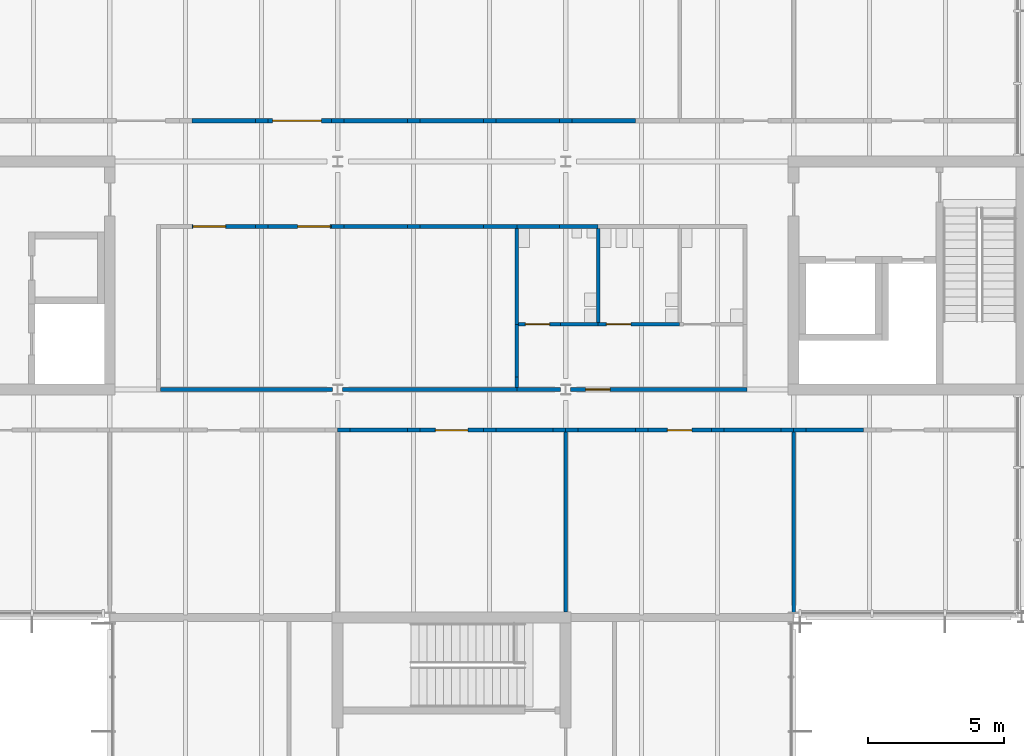
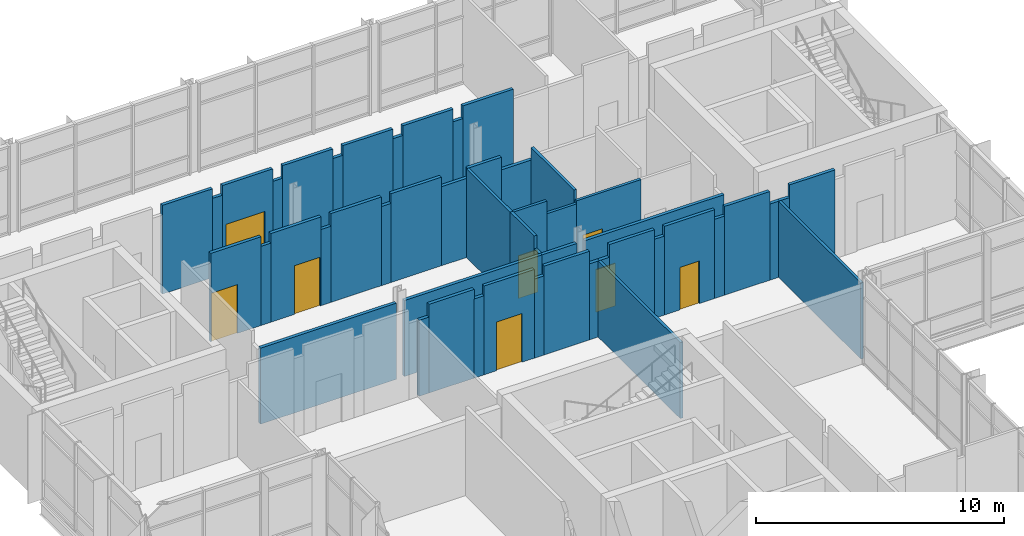
# One storey, part 58 of 89: 50 walls, 8 doors, 8 openings.
"""IFC4 building model written with IfcOpenShell, lengths in metres."""

from ifc_helpers import new_model, si_unit, direction, frame, frame_2d, origin, place, context, subcontext, project, spatial, rectangle, extrude, material, layer, layer_set, type_object, element, fill, save


model = new_model("IFC4")

# Units and contexts
model_context = context("Model", 3, precision=1e-05, world=origin(), true_north=direction((0.0, 1.0)))
body_context = subcontext(model_context, "Body", "Model", "MODEL_VIEW")
ifc_project = project(units=[si_unit("LENGTHUNIT", "METRE"), si_unit("AREAUNIT", "SQUARE_METRE"), si_unit("VOLUMEUNIT", "CUBIC_METRE"), si_unit("PLANEANGLEUNIT", "RADIAN"), si_unit("MASSUNIT", "GRAM", prefix="KILO")], contexts=[model_context])

# Site, building, storey
site_placement = place(None, origin())
site = spatial("IfcSite", under=ifc_project, at=site_placement, CompositionType="ELEMENT")
building_placement = place(site_placement, origin())
building = spatial("IfcBuilding", under=site, at=building_placement, Name="Hlaing Beacon Police Headquarters", CompositionType="ELEMENT")
storey_placement = place(building_placement, frame((0.0, 0.0, 9.89990234375)))
storey = spatial("IfcBuildingStorey", under=building, at=storey_placement, Name="L02", CompositionType="ELEMENT", Elevation=9.89990234375)

# Walls
ifc_material_1 = material(Name="Gypsum board partition")
ifc_layer_1 = layer(ifc_material_1, 0.14990234375)
ifc_layer_set_1 = layer_set([ifc_layer_1], Name="Gypsum board partition")
wall_type_1 = type_object("IfcWallType", Name="Corridor wall EI 30 150", PredefinedType="PARTITIONING", material=ifc_layer_set_1)
wall_1_placement = place(storey_placement, frame((102.675048828125, 75.60009765625, 0.0), z_axis=(0.0, 0.0, 1.0), x_axis=(1.0, 0.0, 0.0)))
element("IfcWall", 1, at=wall_1_placement, inside=storey, type_object=wall_type_1, Name="Corridor wall EI 30 150", PredefinedType="PARTITIONING", context=body_context, shape_type="SweptSolid", body=[
    extrude(rectangle(XDim=6.3388671875, YDim=0.14990234375, at=frame_2d((3.16943359375, 0.0))), origin(), (0.0, 0.0, 1.0), 3.74609375),
])
wall_2_placement = place(storey_placement, frame((109.385986328125, 75.60009765625, 0.0), z_axis=(0.0, 0.0, 1.0), x_axis=(1.0, 0.0, 0.0)))
element("IfcWall", 2, at=wall_2_placement, inside=storey, type_object=wall_type_1, Name="Corridor wall EI 30 150", PredefinedType="PARTITIONING", context=body_context, shape_type="SweptSolid", body=[
    extrude(rectangle(XDim=6.4140625, YDim=0.14990234375, at=frame_2d((3.20703125, 0.0))), origin(), (0.0, 0.0, 1.0), 3.74609375),
])

# Wall, opening, door
wall_3_placement = place(storey_placement, frame((103.830078125, 81.60009765625, 0.0), z_axis=(0.0, 0.0, 1.0), x_axis=(1.0, 0.0, 0.0)))
wall_3 = element("IfcWall", 3, at=wall_3_placement, inside=storey, type_object=wall_type_1, Name="Corridor wall EI 30 150", PredefinedType="PARTITIONING", context=body_context, shape_type="SweptSolid", body=[
    extrude(rectangle(XDim=2.33984375, YDim=0.14990234375, at=frame_2d((1.169921875, 0.0))), origin(), (0.0, 0.0, 1.0), 4.3701171875),
])
opening_1_placement = place(wall_3_placement, frame((0.044921875, 0.0, 0.0)))
opening_1 = element("IfcOpeningElement", 4, at=opening_1_placement, cuts=wall_3, Name="Opening L02-038", PredefinedType="OPENING", context=body_context, shape_type="SweptSolid", body=[
    extrude(rectangle(XDim=1.199951171875, YDim=2.39990234375, at=frame_2d((0.60009765625, 1.199951171875))), frame((0.0, 0.0849609375, 0.0), z_axis=(0.0, -1.0, 0.0), x_axis=(1.0, 0.0, 0.0)), (0.0, 0.0, 1.0), 0.169921875),
])
ifc_material_2 = material(Name="Hardwood door leaf", Category="wood")
ifc_layer_2 = layer(ifc_material_2, 0.050048828125)
ifc_layer_set_2 = layer_set([ifc_layer_2], Name="Hardwood door leaf")
door_type_1 = type_object("IfcDoorType", Name="Fire public door FD30S 1200x2400", OperationType="SINGLE_SWING_LEFT", PredefinedType="DOOR", material=ifc_layer_set_2)
door_1_placement = place(opening_1_placement, origin())
door_1 = element("IfcDoor", 5, at=door_1_placement, inside=storey, type_object=door_type_1, Name="Door Training Simulation Suite 1", OperationType="SINGLE_SWING_RIGHT", OverallHeight=2.39990234375, OverallWidth=1.199951171875, PredefinedType="DOOR", context=body_context, shape_type="SweptSolid", body=[
    extrude(rectangle(XDim=1.199951171875, YDim=2.39990234375, at=frame_2d((0.60009765625, 1.199951171875))), frame((0.0, 0.02490234375, 0.0), z_axis=(0.0, -1.0, 0.0), x_axis=(1.0, 0.0, 0.0)), (0.0, 0.0, 1.0), 0.050048828125),
])
fill(opening_1, door_1)

# Wall
wall_4_placement = place(storey_placement, frame((106.169921875, 81.60009765625, 0.0), z_axis=(0.0, 0.0, 1.0), x_axis=(1.0, 0.0, 0.0)))
element("IfcWall", 6, at=wall_4_placement, inside=storey, type_object=wall_type_1, Name="Corridor wall EI 30 150", PredefinedType="PARTITIONING", context=body_context, shape_type="SweptSolid", body=[
    extrude(rectangle(XDim=0.4599609375, YDim=0.14990234375, at=frame_2d((0.22998046875, 0.0))), origin(), (0.0, 0.0, 1.0), 3.89501953125),
])

# Wall, opening, door
wall_5_placement = place(storey_placement, frame((106.6298828125, 81.60009765625, 0.0), z_axis=(0.0, 0.0, 1.0), x_axis=(1.0, 0.0, 0.0)))
wall_5 = element("IfcWall", 7, at=wall_5_placement, inside=storey, type_object=wall_type_1, Name="Corridor wall EI 30 150", PredefinedType="PARTITIONING", context=body_context, shape_type="SweptSolid", body=[
    extrude(rectangle(XDim=2.340087890625, YDim=0.14990234375, at=frame_2d((1.169921875, 0.0))), origin(), (0.0, 0.0, 1.0), 4.3701171875),
])
opening_2_placement = place(wall_5_placement, frame((1.094970703125, 0.0, 0.0)))
opening_2 = element("IfcOpeningElement", 8, at=opening_2_placement, cuts=wall_5, Name="Opening L02-039", PredefinedType="OPENING", context=body_context, shape_type="SweptSolid", body=[
    extrude(rectangle(XDim=1.199951171875, YDim=2.39990234375, at=frame_2d((0.60009765625, 1.199951171875))), frame((0.0, 0.0849609375, 0.0), z_axis=(0.0, -1.0, 0.0), x_axis=(1.0, 0.0, 0.0)), (0.0, 0.0, 1.0), 0.169921875),
])
door_2_placement = place(opening_2_placement, origin())
door_2 = element("IfcDoor", 9, at=door_2_placement, inside=storey, type_object=door_type_1, Name="Door Training Simulation Suite 1", OperationType="SINGLE_SWING_LEFT", OverallHeight=2.39990234375, OverallWidth=1.199951171875, PredefinedType="DOOR", context=body_context, shape_type="SweptSolid", body=[
    extrude(rectangle(XDim=1.199951171875, YDim=2.39990234375, at=frame_2d((0.60009765625, 1.199951171875))), frame((0.0, 0.02490234375, 0.0), z_axis=(0.0, -1.0, 0.0), x_axis=(1.0, 0.0, 0.0)), (0.0, 0.0, 1.0), 0.050048828125),
])
fill(opening_2, door_2)

# Walls
wall_6_placement = place(storey_placement, frame((108.969970703125, 81.60009765625, 0.0), z_axis=(0.0, 0.0, 1.0), x_axis=(1.0, 0.0, 0.0)))
element("IfcWall", 10, at=wall_6_placement, inside=storey, type_object=wall_type_1, Name="Corridor wall EI 30 150", PredefinedType="PARTITIONING", context=body_context, shape_type="SweptSolid", body=[
    extrude(rectangle(XDim=0.4599609375, YDim=0.14990234375, at=frame_2d((0.22998046875, 0.0))), origin(), (0.0, 0.0, 1.0), 3.74609375),
])
wall_7_placement = place(storey_placement, frame((109.429931640625, 81.60009765625, 0.0), z_axis=(0.0, 0.0, 1.0), x_axis=(1.0, 0.0, 0.0)))
element("IfcWall", 11, at=wall_7_placement, inside=storey, type_object=wall_type_1, Name="Corridor wall EI 30 150", PredefinedType="PARTITIONING", context=body_context, shape_type="SweptSolid", body=[
    extrude(rectangle(XDim=2.340087890625, YDim=0.14990234375, at=frame_2d((1.169921875, 0.0))), origin(), (0.0, 0.0, 1.0), 4.3701171875),
])
wall_8_placement = place(storey_placement, frame((111.77001953125, 81.60009765625, 0.0), z_axis=(0.0, 0.0, 1.0), x_axis=(1.0, 0.0, 0.0)))
element("IfcWall", 12, at=wall_8_placement, inside=storey, type_object=wall_type_1, Name="Corridor wall EI 30 150", PredefinedType="PARTITIONING", context=body_context, shape_type="SweptSolid", body=[
    extrude(rectangle(XDim=0.4599609375, YDim=0.14990234375, at=frame_2d((0.22998046875, 0.0))), origin(), (0.0, 0.0, 1.0), 3.89501953125),
])
wall_9_placement = place(storey_placement, frame((112.22998046875, 81.60009765625, 0.0), z_axis=(0.0, 0.0, 1.0), x_axis=(1.0, 0.0, 0.0)))
element("IfcWall", 13, at=wall_9_placement, inside=storey, type_object=wall_type_1, Name="Corridor wall EI 30 150", PredefinedType="PARTITIONING", context=body_context, shape_type="SweptSolid", body=[
    extrude(rectangle(XDim=2.340087890625, YDim=0.14990234375, at=frame_2d((1.169921875, 0.0))), origin(), (0.0, 0.0, 1.0), 4.3701171875),
])
wall_10_placement = place(storey_placement, frame((114.570068359375, 81.60009765625, 0.0), z_axis=(0.0, 0.0, 1.0), x_axis=(1.0, 0.0, 0.0)))
element("IfcWall", 14, at=wall_10_placement, inside=storey, type_object=wall_type_1, Name="Corridor wall EI 30 150", PredefinedType="PARTITIONING", context=body_context, shape_type="SweptSolid", body=[
    extrude(rectangle(XDim=1.22998046875, YDim=0.14990234375, at=frame_2d((0.614990234375, 0.0))), origin(), (0.0, 0.0, 1.0), 3.89501953125),
])
wall_11_placement = place(storey_placement, frame((115.800048828125, 75.60009765625, 0.0), z_axis=(0.0, 0.0, 1.0), x_axis=(1.0, 0.0, 0.0)))
element("IfcWall", 15, at=wall_11_placement, inside=storey, type_object=wall_type_1, Name="Corridor wall EI 30 150", PredefinedType="PARTITIONING", context=body_context, shape_type="SweptSolid", body=[
    extrude(rectangle(XDim=1.613037109375, YDim=0.14990234375, at=frame_2d((0.806640625, 0.0))), origin(), (0.0, 0.0, 1.0), 3.74609375),
])

# Wall, opening, door
wall_12_placement = place(storey_placement, frame((117.785888671875, 75.60009765625, 0.0), z_axis=(0.0, 0.0, 1.0), x_axis=(1.0, 0.0, 0.0)))
wall_12 = element("IfcWall", 16, at=wall_12_placement, inside=storey, type_object=wall_type_1, Name="Corridor wall EI 30 150", PredefinedType="PARTITIONING", context=body_context, shape_type="SweptSolid", body=[
    extrude(rectangle(XDim=6.489013671875, YDim=0.14990234375, at=frame_2d((3.24462890625, 0.0))), origin(), (0.0, 0.0, 1.0), 3.74609375),
])
opening_3_placement = place(wall_12_placement, frame((0.550048828125, 0.0, 0.0)))
opening_3 = element("IfcOpeningElement", 17, at=opening_3_placement, cuts=wall_12, Name="Opening L02-042", PredefinedType="OPENING", context=body_context, shape_type="SweptSolid", body=[
    extrude(rectangle(XDim=0.89990234375, YDim=2.10009765625, at=frame_2d((0.449951171875, 1.050048828125))), frame((0.0, 0.0849609375, 0.0), z_axis=(0.0, -1.0, 0.0), x_axis=(1.0, 0.0, 0.0)), (0.0, 0.0, 1.0), 0.169921875),
])
ifc_material_3 = material(Name="Hardwood door leaf", Category="wood")
ifc_layer_3 = layer(ifc_material_3, 0.050048828125)
ifc_layer_set_3 = layer_set([ifc_layer_3], Name="Hardwood door leaf")
door_type_2 = type_object("IfcDoorType", Name="Fire door FD30S 900x2100", OperationType="SINGLE_SWING_LEFT", PredefinedType="DOOR", material=ifc_layer_set_3)
door_3_placement = place(opening_3_placement, origin())
door_3 = element("IfcDoor", 18, at=door_3_placement, inside=storey, type_object=door_type_2, Name="Door WC Lobby", OperationType="SINGLE_SWING_RIGHT", OverallHeight=2.10009765625, OverallWidth=0.89990234375, PredefinedType="DOOR", context=body_context, shape_type="SweptSolid", body=[
    extrude(rectangle(XDim=0.89990234375, YDim=2.10009765625, at=frame_2d((0.449951171875, 1.050048828125))), frame((0.0, 0.02490234375, 0.0), z_axis=(0.0, -1.0, 0.0), x_axis=(1.0, 0.0, 0.0)), (0.0, 0.0, 1.0), 0.050048828125),
])
fill(opening_3, door_3)

# Walls
wall_13_placement = place(storey_placement, frame((115.800048828125, 81.60009765625, 0.0), z_axis=(0.0, 0.0, 1.0), x_axis=(1.0, 0.0, 0.0)))
element("IfcWall", 19, at=wall_13_placement, inside=storey, type_object=wall_type_1, Name="Corridor wall EI 30 150", PredefinedType="PARTITIONING", context=body_context, shape_type="SweptSolid", body=[
    extrude(rectangle(XDim=1.570068359375, YDim=0.14990234375, at=frame_2d((0.78515625, 0.0))), origin(), (0.0, 0.0, 1.0), 4.3701171875),
])
wall_14_placement = place(storey_placement, frame((117.3701171875, 81.60009765625, 0.0), z_axis=(0.0, 0.0, 1.0), x_axis=(1.0, 0.0, 0.0)))
element("IfcWall", 20, at=wall_14_placement, inside=storey, type_object=wall_type_1, Name="Corridor wall EI 30 150", PredefinedType="PARTITIONING", context=body_context, shape_type="SweptSolid", body=[
    extrude(rectangle(XDim=1.429931640625, YDim=0.14990234375, at=frame_2d((0.71484375, 0.0))), origin(), (0.0, 0.0, 1.0), 3.74609375),
])
wall_15_placement = place(storey_placement, frame((103.830078125, 85.5, 0.0), z_axis=(0.0, 0.0, 1.0), x_axis=(1.0, 0.0, 0.0)))
element("IfcWall", 21, at=wall_15_placement, inside=storey, type_object=wall_type_1, Name="Corridor wall EI 30 150", PredefinedType="PARTITIONING", context=body_context, shape_type="SweptSolid", body=[
    extrude(rectangle(XDim=2.33984375, YDim=0.14990234375, at=frame_2d((1.169921875, 0.0))), origin(), (0.0, 0.0, 1.0), 4.3701171875),
])
wall_16_placement = place(storey_placement, frame((106.169921875, 85.5, 0.0), z_axis=(0.0, 0.0, 1.0), x_axis=(1.0, 0.0, 0.0)))
element("IfcWall", 22, at=wall_16_placement, inside=storey, type_object=wall_type_1, Name="Corridor wall EI 30 150", PredefinedType="PARTITIONING", context=body_context, shape_type="SweptSolid", body=[
    extrude(rectangle(XDim=0.4599609375, YDim=0.14990234375, at=frame_2d((0.22998046875, 0.0))), origin(), (0.0, 0.0, 1.0), 3.89501953125),
])

# Wall, opening, door
wall_17_placement = place(storey_placement, frame((106.6298828125, 85.5, 0.0), z_axis=(0.0, 0.0, 1.0), x_axis=(1.0, 0.0, 0.0)))
wall_17 = element("IfcWall", 23, at=wall_17_placement, inside=storey, type_object=wall_type_1, Name="Corridor wall EI 30 150", PredefinedType="PARTITIONING", context=body_context, shape_type="SweptSolid", body=[
    extrude(rectangle(XDim=2.340087890625, YDim=0.14990234375, at=frame_2d((1.169921875, 0.0))), origin(), (0.0, 0.0, 1.0), 4.3701171875),
])
opening_4_placement = place(wall_17_placement, frame((0.169921875, 0.0, 0.0)))
opening_4 = element("IfcOpeningElement", 24, at=opening_4_placement, cuts=wall_17, Name="Opening L02-045", PredefinedType="OPENING", context=body_context, shape_type="SweptSolid", body=[
    extrude(rectangle(XDim=1.800048828125, YDim=2.39990234375, at=frame_2d((0.89990234375, 1.199951171875))), frame((0.0, 0.0849609375, 0.0), z_axis=(0.0, -1.0, 0.0), x_axis=(1.0, 0.0, 0.0)), (0.0, 0.0, 1.0), 0.169921875),
])
ifc_material_4 = material(Name="Hardwood door leaf", Category="wood")
ifc_layer_4 = layer(ifc_material_4, 0.050048828125)
ifc_layer_set_4 = layer_set([ifc_layer_4], Name="Hardwood door leaf")
door_type_3 = type_object("IfcDoorType", Name="Fire public double door FD30S 1800x2400", OperationType="DOUBLE_DOOR_SINGLE_SWING", PredefinedType="DOOR", material=ifc_layer_set_4)
door_4_placement = place(opening_4_placement, frame((1.800048828125, 0.0, 0.0), z_axis=(0.0, 0.0, 1.0), x_axis=(-1.0, 0.0, 0.0)))
door_4 = element("IfcDoor", 25, at=door_4_placement, inside=storey, type_object=door_type_3, Name="Door Lecture Theatre", OperationType="DOUBLE_DOOR_SINGLE_SWING", OverallHeight=2.39990234375, OverallWidth=1.800048828125, PredefinedType="DOOR", context=body_context, shape_type="SweptSolid", body=[
    extrude(rectangle(XDim=1.800048828125, YDim=2.39990234375, at=frame_2d((0.900146484375, 1.199951171875))), frame((0.0, 0.025146484375, 0.0), z_axis=(0.0, -1.0, 0.0), x_axis=(1.0, 0.0, 0.0)), (0.0, 0.0, 1.0), 0.050048828125),
])
fill(opening_4, door_4)

# Walls
wall_18_placement = place(storey_placement, frame((108.969970703125, 85.5, 0.0), z_axis=(0.0, 0.0, 1.0), x_axis=(1.0, 0.0, 0.0)))
element("IfcWall", 26, at=wall_18_placement, inside=storey, type_object=wall_type_1, Name="Corridor wall EI 30 150", PredefinedType="PARTITIONING", context=body_context, shape_type="SweptSolid", body=[
    extrude(rectangle(XDim=0.4599609375, YDim=0.14990234375, at=frame_2d((0.22998046875, 0.0))), origin(), (0.0, 0.0, 1.0), 3.74609375),
])
wall_19_placement = place(storey_placement, frame((109.429931640625, 85.5, 0.0), z_axis=(0.0, 0.0, 1.0), x_axis=(1.0, 0.0, 0.0)))
element("IfcWall", 27, at=wall_19_placement, inside=storey, type_object=wall_type_1, Name="Corridor wall EI 30 150", PredefinedType="PARTITIONING", context=body_context, shape_type="SweptSolid", body=[
    extrude(rectangle(XDim=2.340087890625, YDim=0.14990234375, at=frame_2d((1.169921875, 0.0))), origin(), (0.0, 0.0, 1.0), 4.3701171875),
])
wall_20_placement = place(storey_placement, frame((111.77001953125, 85.5, 0.0), z_axis=(0.0, 0.0, 1.0), x_axis=(1.0, 0.0, 0.0)))
element("IfcWall", 28, at=wall_20_placement, inside=storey, type_object=wall_type_1, Name="Corridor wall EI 30 150", PredefinedType="PARTITIONING", context=body_context, shape_type="SweptSolid", body=[
    extrude(rectangle(XDim=0.4599609375, YDim=0.14990234375, at=frame_2d((0.22998046875, 0.0))), origin(), (0.0, 0.0, 1.0), 3.89501953125),
])
wall_21_placement = place(storey_placement, frame((112.22998046875, 85.5, 0.0), z_axis=(0.0, 0.0, 1.0), x_axis=(1.0, 0.0, 0.0)))
element("IfcWall", 29, at=wall_21_placement, inside=storey, type_object=wall_type_1, Name="Corridor wall EI 30 150", PredefinedType="PARTITIONING", context=body_context, shape_type="SweptSolid", body=[
    extrude(rectangle(XDim=2.340087890625, YDim=0.14990234375, at=frame_2d((1.169921875, 0.0))), origin(), (0.0, 0.0, 1.0), 4.3701171875),
])
wall_22_placement = place(storey_placement, frame((114.570068359375, 85.5, 0.0), z_axis=(0.0, 0.0, 1.0), x_axis=(1.0, 0.0, 0.0)))
element("IfcWall", 30, at=wall_22_placement, inside=storey, type_object=wall_type_1, Name="Corridor wall EI 30 150", PredefinedType="PARTITIONING", context=body_context, shape_type="SweptSolid", body=[
    extrude(rectangle(XDim=0.4599609375, YDim=0.14990234375, at=frame_2d((0.22998046875, 0.0))), origin(), (0.0, 0.0, 1.0), 3.89501953125),
])
wall_23_placement = place(storey_placement, frame((115.030029296875, 85.5, 0.0), z_axis=(0.0, 0.0, 1.0), x_axis=(1.0, 0.0, 0.0)))
element("IfcWall", 31, at=wall_23_placement, inside=storey, type_object=wall_type_1, Name="Corridor wall EI 30 150", PredefinedType="PARTITIONING", context=body_context, shape_type="SweptSolid", body=[
    extrude(rectangle(XDim=2.340087890625, YDim=0.14990234375, at=frame_2d((1.169921875, 0.0))), origin(), (0.0, 0.0, 1.0), 4.3701171875),
])
wall_24_placement = place(storey_placement, frame((117.3701171875, 85.5, 0.0), z_axis=(0.0, 0.0, 1.0), x_axis=(1.0, 0.0, 0.0)))
element("IfcWall", 32, at=wall_24_placement, inside=storey, type_object=wall_type_1, Name="Corridor wall EI 30 150", PredefinedType="PARTITIONING", context=body_context, shape_type="SweptSolid", body=[
    extrude(rectangle(XDim=0.4599609375, YDim=0.14990234375, at=frame_2d((0.22998046875, 0.0))), origin(), (0.0, 0.0, 1.0), 3.74609375),
])
wall_25_placement = place(storey_placement, frame((117.830078125, 85.5, 0.0), z_axis=(0.0, 0.0, 1.0), x_axis=(1.0, 0.0, 0.0)))
element("IfcWall", 33, at=wall_25_placement, inside=storey, type_object=wall_type_1, Name="Corridor wall EI 30 150", PredefinedType="PARTITIONING", context=body_context, shape_type="SweptSolid", body=[
    extrude(rectangle(XDim=2.33984375, YDim=0.14990234375, at=frame_2d((1.169921875, 0.0))), origin(), (0.0, 0.0, 1.0), 4.3701171875),
])
wall_26_placement = place(storey_placement, frame((109.199951171875, 74.10009765625, 0.0), z_axis=(0.0, 0.0, 1.0), x_axis=(1.0, 0.0, 0.0)))
element("IfcWall", 34, at=wall_26_placement, inside=storey, type_object=wall_type_1, Name="Corridor wall EI 30 150", PredefinedType="PARTITIONING", context=body_context, shape_type="SweptSolid", body=[
    extrude(rectangle(XDim=0.4599609375, YDim=0.14990234375, at=frame_2d((0.22998046875, 0.0))), origin(), (0.0, 0.0, 1.0), 3.74609375),
])
wall_27_placement = place(storey_placement, frame((109.659912109375, 74.10009765625, 0.0), z_axis=(0.0, 0.0, 1.0), x_axis=(1.0, 0.0, 0.0)))
element("IfcWall", 35, at=wall_27_placement, inside=storey, type_object=wall_type_1, Name="Corridor wall EI 30 150", PredefinedType="PARTITIONING", context=body_context, shape_type="SweptSolid", body=[
    extrude(rectangle(XDim=2.110107421875, YDim=0.14990234375, at=frame_2d((1.05517578125, 0.0))), origin(), (0.0, 0.0, 1.0), 4.3701171875),
])
wall_28_placement = place(storey_placement, frame((111.77001953125, 74.10009765625, 0.0), z_axis=(0.0, 0.0, 1.0), x_axis=(1.0, 0.0, 0.0)))
element("IfcWall", 36, at=wall_28_placement, inside=storey, type_object=wall_type_1, Name="Corridor wall EI 30 150", PredefinedType="PARTITIONING", context=body_context, shape_type="SweptSolid", body=[
    extrude(rectangle(XDim=0.4599609375, YDim=0.14990234375, at=frame_2d((0.22998046875, 0.0))), origin(), (0.0, 0.0, 1.0), 3.89501953125),
])

# Wall, opening, door
wall_29_placement = place(storey_placement, frame((112.22998046875, 74.10009765625, 0.0), z_axis=(0.0, 0.0, 1.0), x_axis=(1.0, 0.0, 0.0)))
wall_29 = element("IfcWall", 37, at=wall_29_placement, inside=storey, type_object=wall_type_1, Name="Corridor wall EI 30 150", PredefinedType="PARTITIONING", context=body_context, shape_type="SweptSolid", body=[
    extrude(rectangle(XDim=2.340087890625, YDim=0.14990234375, at=frame_2d((1.169921875, 0.0))), origin(), (0.0, 0.0, 1.0), 4.3701171875),
])
opening_5_placement = place(wall_29_placement, frame((0.570068359375, 0.0, 0.0)))
opening_5 = element("IfcOpeningElement", 38, at=opening_5_placement, cuts=wall_29, Name="Opening L02-050", PredefinedType="OPENING", context=body_context, shape_type="SweptSolid", body=[
    extrude(rectangle(XDim=1.199951171875, YDim=2.39990234375, at=frame_2d((0.60009765625, 1.199951171875))), frame((0.0, 0.0849609375, 0.0), z_axis=(0.0, -1.0, 0.0), x_axis=(1.0, 0.0, 0.0)), (0.0, 0.0, 1.0), 0.169921875),
])
door_5_placement = place(opening_5_placement, frame((1.199951171875, 0.0, 0.0), z_axis=(0.0, 0.0, 1.0), x_axis=(-1.0, 0.0, 0.0)))
door_5 = element("IfcDoor", 39, at=door_5_placement, inside=storey, type_object=door_type_1, Name="Door Classroom 5", OperationType="SINGLE_SWING_LEFT", OverallHeight=2.39990234375, OverallWidth=1.199951171875, PredefinedType="DOOR", context=body_context, shape_type="SweptSolid", body=[
    extrude(rectangle(XDim=1.199951171875, YDim=2.39990234375, at=frame_2d((0.599853515625, 1.199951171875))), frame((0.0, 0.025146484375, 0.0), z_axis=(0.0, -1.0, 0.0), x_axis=(1.0, 0.0, 0.0)), (0.0, 0.0, 1.0), 0.050048828125),
])
fill(opening_5, door_5)

# Walls
wall_30_placement = place(storey_placement, frame((114.570068359375, 74.10009765625, 0.0), z_axis=(0.0, 0.0, 1.0), x_axis=(1.0, 0.0, 0.0)))
element("IfcWall", 40, at=wall_30_placement, inside=storey, type_object=wall_type_1, Name="Corridor wall EI 30 150", PredefinedType="PARTITIONING", context=body_context, shape_type="SweptSolid", body=[
    extrude(rectangle(XDim=0.4599609375, YDim=0.14990234375, at=frame_2d((0.22998046875, 0.0))), origin(), (0.0, 0.0, 1.0), 3.89501953125),
])
wall_31_placement = place(storey_placement, frame((115.030029296875, 74.10009765625, 0.0), z_axis=(0.0, 0.0, 1.0), x_axis=(1.0, 0.0, 0.0)))
element("IfcWall", 41, at=wall_31_placement, inside=storey, type_object=wall_type_1, Name="Corridor wall EI 30 150", PredefinedType="PARTITIONING", context=body_context, shape_type="SweptSolid", body=[
    extrude(rectangle(XDim=2.10986328125, YDim=0.14990234375, at=frame_2d((1.054931640625, 0.0))), origin(), (0.0, 0.0, 1.0), 4.3701171875),
])
wall_32_placement = place(storey_placement, frame((117.139892578125, 74.10009765625, 0.0), z_axis=(0.0, 0.0, 1.0), x_axis=(1.0, 0.0, 0.0)))
element("IfcWall", 42, at=wall_32_placement, inside=storey, type_object=wall_type_1, Name="Corridor wall EI 30 150", PredefinedType="PARTITIONING", context=body_context, shape_type="SweptSolid", body=[
    extrude(rectangle(XDim=0.460205078125, YDim=0.14990234375, at=frame_2d((0.22998046875, 0.0))), origin(), (0.0, 0.0, 1.0), 3.74609375),
])
wall_33_placement = place(storey_placement, frame((117.60009765625, 74.10009765625, 0.0), z_axis=(0.0, 0.0, 1.0), x_axis=(1.0, 0.0, 0.0)))
element("IfcWall", 43, at=wall_33_placement, inside=storey, type_object=wall_type_1, Name="Corridor wall EI 30 150", PredefinedType="PARTITIONING", context=body_context, shape_type="SweptSolid", body=[
    extrude(rectangle(XDim=0.4599609375, YDim=0.14990234375, at=frame_2d((0.22998046875, 0.0))), origin(), (0.0, 0.0, 1.0), 3.74609375),
])
wall_34_placement = place(storey_placement, frame((118.06005859375, 74.10009765625, 0.0), z_axis=(0.0, 0.0, 1.0), x_axis=(1.0, 0.0, 0.0)))
element("IfcWall", 44, at=wall_34_placement, inside=storey, type_object=wall_type_1, Name="Corridor wall EI 30 150", PredefinedType="PARTITIONING", context=body_context, shape_type="SweptSolid", body=[
    extrude(rectangle(XDim=2.10986328125, YDim=0.14990234375, at=frame_2d((1.054931640625, 0.0))), origin(), (0.0, 0.0, 1.0), 4.3701171875),
])
wall_35_placement = place(storey_placement, frame((120.169921875, 74.10009765625, 0.0), z_axis=(0.0, 0.0, 1.0), x_axis=(1.0, 0.0, 0.0)))
element("IfcWall", 45, at=wall_35_placement, inside=storey, type_object=wall_type_1, Name="Corridor wall EI 30 150", PredefinedType="PARTITIONING", context=body_context, shape_type="SweptSolid", body=[
    extrude(rectangle(XDim=0.4599609375, YDim=0.14990234375, at=frame_2d((0.22998046875, 0.0))), origin(), (0.0, 0.0, 1.0), 3.89501953125),
])

# Wall, opening, door
wall_36_placement = place(storey_placement, frame((120.6298828125, 74.10009765625, 0.0), z_axis=(0.0, 0.0, 1.0), x_axis=(1.0, 0.0, 0.0)))
wall_36 = element("IfcWall", 46, at=wall_36_placement, inside=storey, type_object=wall_type_1, Name="Corridor wall EI 30 150", PredefinedType="PARTITIONING", context=body_context, shape_type="SweptSolid", body=[
    extrude(rectangle(XDim=2.340087890625, YDim=0.14990234375, at=frame_2d((1.169921875, 0.0))), origin(), (0.0, 0.0, 1.0), 4.3701171875),
])
opening_6_placement = place(wall_36_placement, frame((0.719970703125, 0.0, 0.0)))
opening_6 = element("IfcOpeningElement", 47, at=opening_6_placement, cuts=wall_36, Name="Opening L02-051", PredefinedType="OPENING", context=body_context, shape_type="SweptSolid", body=[
    extrude(rectangle(XDim=0.89990234375, YDim=2.10009765625, at=frame_2d((0.449951171875, 1.050048828125))), frame((0.0, 0.0849609375, 0.0), z_axis=(0.0, -1.0, 0.0), x_axis=(1.0, 0.0, 0.0)), (0.0, 0.0, 1.0), 0.169921875),
])
door_6_placement = place(opening_6_placement, frame((0.89990234375, 0.0, 0.0), z_axis=(0.0, 0.0, 1.0), x_axis=(-1.0, 0.0, 0.0)))
door_6 = element("IfcDoor", 48, at=door_6_placement, inside=storey, type_object=door_type_2, Name="Door Training Stores", OperationType="SINGLE_SWING_RIGHT", OverallHeight=2.10009765625, OverallWidth=0.89990234375, PredefinedType="DOOR", context=body_context, shape_type="SweptSolid", body=[
    extrude(rectangle(XDim=0.89990234375, YDim=2.10009765625, at=frame_2d((0.449951171875, 1.050048828125))), frame((0.0, 0.025146484375, 0.0), z_axis=(0.0, -1.0, 0.0), x_axis=(1.0, 0.0, 0.0)), (0.0, 0.0, 1.0), 0.050048828125),
])
fill(opening_6, door_6)

# Walls
wall_37_placement = place(storey_placement, frame((122.969970703125, 74.10009765625, 0.0), z_axis=(0.0, 0.0, 1.0), x_axis=(1.0, 0.0, 0.0)))
element("IfcWall", 49, at=wall_37_placement, inside=storey, type_object=wall_type_1, Name="Corridor wall EI 30 150", PredefinedType="PARTITIONING", context=body_context, shape_type="SweptSolid", body=[
    extrude(rectangle(XDim=0.4599609375, YDim=0.14990234375, at=frame_2d((0.22998046875, 0.0))), origin(), (0.0, 0.0, 1.0), 3.89501953125),
])
wall_38_placement = place(storey_placement, frame((123.429931640625, 74.10009765625, 0.0), z_axis=(0.0, 0.0, 1.0), x_axis=(1.0, 0.0, 0.0)))
element("IfcWall", 50, at=wall_38_placement, inside=storey, type_object=wall_type_1, Name="Corridor wall EI 30 150", PredefinedType="PARTITIONING", context=body_context, shape_type="SweptSolid", body=[
    extrude(rectangle(XDim=2.110107421875, YDim=0.14990234375, at=frame_2d((1.05517578125, 0.0))), origin(), (0.0, 0.0, 1.0), 4.3701171875),
])
for number, where, z_axis, x_axis, name in (
    (51, (125.5400390625, 74.10009765625, 0.0), (0.0, 0.0, 1.0), (1.0, 0.0, 0.0), "Corridor wall EI 30 150"),
    (52, (126.0, 74.10009765625, 0.0), (0.0, 0.0, 1.0), (1.0, 0.0, 0.0), "Corridor wall EI 30 150"),
):
    element("IfcWall", number, at=place(storey_placement, frame(where, z_axis=z_axis, x_axis=x_axis)), inside=storey, type_object=wall_type_1, Name=name, PredefinedType="PARTITIONING", context=body_context, shape_type="SweptSolid", body=[
        extrude(rectangle(XDim=0.4599609375, YDim=0.14990234375, at=frame_2d((0.22998046875, 0.0))), origin(), (0.0, 0.0, 1.0), 3.74609375),
    ])
wall_39_placement = place(storey_placement, frame((126.4599609375, 74.10009765625, 0.0), z_axis=(0.0, 0.0, 1.0), x_axis=(1.0, 0.0, 0.0)))
element("IfcWall", 53, at=wall_39_placement, inside=storey, type_object=wall_type_1, Name="Corridor wall EI 30 150", PredefinedType="PARTITIONING", context=body_context, shape_type="SweptSolid", body=[
    extrude(rectangle(XDim=2.110107421875, YDim=0.14990234375, at=frame_2d((1.05517578125, 0.0))), origin(), (0.0, 0.0, 1.0), 4.3701171875),
])
ifc_material_5 = material(Name="Gypsum board partition")
ifc_layer_5 = layer(ifc_material_5, 0.125)
ifc_layer_set_5 = layer_set([ifc_layer_5], Name="Gypsum board partition")
wall_type_2 = type_object("IfcWallType", Name="Partition 125", PredefinedType="PARTITIONING", material=ifc_layer_set_5)
wall_40_placement = place(storey_placement, frame((115.800048828125, 75.675048828125, 0.0), z_axis=(0.0, 0.0, 1.0), x_axis=(0.0, 1.0, 0.0)))
element("IfcWall", 54, at=wall_40_placement, inside=storey, type_object=wall_type_2, Name="Partition 125", PredefinedType="PARTITIONING", context=body_context, shape_type="SweptSolid", body=[
    extrude(rectangle(XDim=0.385009765625, YDim=0.125, at=frame_2d((0.1923828125, 0.0))), origin(), (0.0, 0.0, 1.0), 3.74609375),
])
wall_41_placement = place(storey_placement, frame((115.800048828125, 76.06005859375, 0.0), z_axis=(0.0, 0.0, 1.0), x_axis=(0.0, 1.0, 0.0)))
element("IfcWall", 55, at=wall_41_placement, inside=storey, type_object=wall_type_2, Name="Partition 125", PredefinedType="PARTITIONING", context=body_context, shape_type="SweptSolid", body=[
    extrude(rectangle(XDim=1.93994140625, YDim=0.125, at=frame_2d((0.969970703125, 0.0))), origin(), (0.0, 0.0, 1.0), 4.3701171875),
])
wall_42_placement = place(storey_placement, frame((115.800048828125, 78.0, 0.0), z_axis=(0.0, 0.0, 1.0), x_axis=(0.0, 1.0, 0.0)))
element("IfcWall", 56, at=wall_42_placement, inside=storey, type_object=wall_type_2, Name="Partition 125", PredefinedType="PARTITIONING", context=body_context, shape_type="SweptSolid", body=[
    extrude(rectangle(XDim=3.52490234375, YDim=0.125, at=frame_2d((1.762451171875, 0.0))), origin(), (0.0, 0.0, 1.0), 4.3701171875),
])

# Wall, opening, door
wall_43_placement = place(storey_placement, frame((118.800048828125, 78.0, 0.0), z_axis=(0.0, 0.0, 1.0), x_axis=(1.0, 0.0, 0.0)))
wall_43 = element("IfcWall", 57, at=wall_43_placement, inside=storey, type_object=wall_type_2, Name="Partition 125", PredefinedType="PARTITIONING", context=body_context, shape_type="SweptSolid", body=[
    extrude(rectangle(XDim=3.0, YDim=0.125, at=frame_2d((1.5, 0.0))), origin(), (0.0, 0.0, 1.0), 3.89501953125),
])
opening_7_placement = place(wall_43_placement, frame((0.300048828125, 0.0, 0.0)))
opening_7 = element("IfcOpeningElement", 58, at=opening_7_placement, cuts=wall_43, Name="Opening L02-041", PredefinedType="OPENING", context=body_context, shape_type="SweptSolid", body=[
    extrude(rectangle(XDim=0.89990234375, YDim=2.10009765625, at=frame_2d((0.449951171875, 1.050048828125))), frame((0.0, 0.072509765625, 0.0), z_axis=(0.0, -1.0, 0.0), x_axis=(1.0, 0.0, 0.0)), (0.0, 0.0, 1.0), 0.14501953125),
])
ifc_material_6 = material(Name="Hardwood door leaf", Category="wood")
ifc_layer_6 = layer(ifc_material_6, 0.0400390625)
ifc_layer_set_6 = layer_set([ifc_layer_6], Name="Hardwood door leaf")
door_type_4 = type_object("IfcDoorType", Name="Door 900x2100", OperationType="SINGLE_SWING_LEFT", PredefinedType="DOOR", material=ifc_layer_set_6)
door_7_placement = place(opening_7_placement, origin())
door_7 = element("IfcDoor", 59, at=door_7_placement, inside=storey, type_object=door_type_4, Name="Door Female WC", OperationType="SINGLE_SWING_RIGHT", OverallHeight=2.10009765625, OverallWidth=0.89990234375, PredefinedType="DOOR", context=body_context, shape_type="SweptSolid", body=[
    extrude(rectangle(XDim=0.89990234375, YDim=2.10009765625, at=frame_2d((0.449951171875, 1.050048828125))), frame((0.0, 0.02001953125, 0.0), z_axis=(0.0, -1.0, 0.0), x_axis=(1.0, 0.0, 0.0)), (0.0, 0.0, 1.0), 0.0400390625),
])
fill(opening_7, door_7)

# Wall
wall_44_placement = place(storey_placement, frame((118.800048828125, 78.06201171875, 0.0), z_axis=(0.0, 0.0, 1.0), x_axis=(0.0, 1.0, 0.0)))
element("IfcWall", 60, at=wall_44_placement, inside=storey, type_object=wall_type_2, Name="Partition 125", PredefinedType="PARTITIONING", context=body_context, shape_type="SweptSolid", body=[
    extrude(rectangle(XDim=3.462890625, YDim=0.125, at=frame_2d((1.7314453125, 0.0))), origin(), (0.0, 0.0, 1.0), 4.3701171875),
])

# Wall, opening, door
wall_45_placement = place(storey_placement, frame((115.862060546875, 78.0, 0.0), z_axis=(0.0, 0.0, 1.0), x_axis=(1.0, 0.0, 0.0)))
wall_45 = element("IfcWall", 61, at=wall_45_placement, inside=storey, type_object=wall_type_2, Name="Partition 125", PredefinedType="PARTITIONING", context=body_context, shape_type="SweptSolid", body=[
    extrude(rectangle(XDim=1.544921875, YDim=0.125, at=frame_2d((0.7724609375, 0.0))), origin(), (0.0, 0.0, 1.0), 4.3701171875),
])
opening_8_placement = place(wall_45_placement, frame((0.25, 0.0, 0.0)))
opening_8 = element("IfcOpeningElement", 62, at=opening_8_placement, cuts=wall_45, Name="Opening L02-043", PredefinedType="OPENING", context=body_context, shape_type="SweptSolid", body=[
    extrude(rectangle(XDim=0.89990234375, YDim=2.10009765625, at=frame_2d((0.449951171875, 1.050048828125))), frame((0.0, 0.072509765625, 0.0), z_axis=(0.0, -1.0, 0.0), x_axis=(1.0, 0.0, 0.0)), (0.0, 0.0, 1.0), 0.14501953125),
])
door_8_placement = place(opening_8_placement, origin())
door_8 = element("IfcDoor", 63, at=door_8_placement, inside=storey, type_object=door_type_4, Name="Door Male WC", OperationType="SINGLE_SWING_RIGHT", OverallHeight=2.10009765625, OverallWidth=0.89990234375, PredefinedType="DOOR", context=body_context, shape_type="SweptSolid", body=[
    extrude(rectangle(XDim=0.89990234375, YDim=2.10009765625, at=frame_2d((0.449951171875, 1.050048828125))), frame((0.0, 0.02001953125, 0.0), z_axis=(0.0, -1.0, 0.0), x_axis=(1.0, 0.0, 0.0)), (0.0, 0.0, 1.0), 0.0400390625),
])
fill(opening_8, door_8)

# Walls
wall_46_placement = place(storey_placement, frame((117.406982421875, 78.0, 0.0), z_axis=(0.0, 0.0, 1.0), x_axis=(1.0, 0.0, 0.0)))
element("IfcWall", 64, at=wall_46_placement, inside=storey, type_object=wall_type_2, Name="Partition 125", PredefinedType="PARTITIONING", context=body_context, shape_type="SweptSolid", body=[
    extrude(rectangle(XDim=1.39306640625, YDim=0.125, at=frame_2d((0.696533203125, 0.0))), origin(), (0.0, 0.0, 1.0), 3.74609375),
])
wall_47_placement = place(storey_placement, frame((117.60009765625, 67.39990234375, 0.0), z_axis=(0.0, 0.0, 1.0), x_axis=(0.0, 1.0, 0.0)))
element("IfcWall", 65, at=wall_47_placement, inside=storey, type_object=wall_type_2, Name="Partition 125", PredefinedType="PARTITIONING", context=body_context, shape_type="SweptSolid", body=[
    extrude(rectangle(XDim=6.625, YDim=0.125, at=frame_2d((3.3125, 0.0))), origin(), (0.0, 0.0, 1.0), 3.74609375),
])
wall_48_placement = place(storey_placement, frame((126.0, 67.387939453125, 0.0), z_axis=(0.0, 0.0, 1.0), x_axis=(0.0, 1.0, 0.0)))
element("IfcWall", 66, at=wall_48_placement, inside=storey, type_object=wall_type_2, Name="Partition 125", PredefinedType="PARTITIONING", context=body_context, shape_type="SweptSolid", body=[
    extrude(rectangle(XDim=6.636962890625, YDim=0.125, at=frame_2d((3.318359375, 0.0))), origin(), (0.0, 0.0, 1.0), 3.74609375),
])

save(model, "model.ifc")
